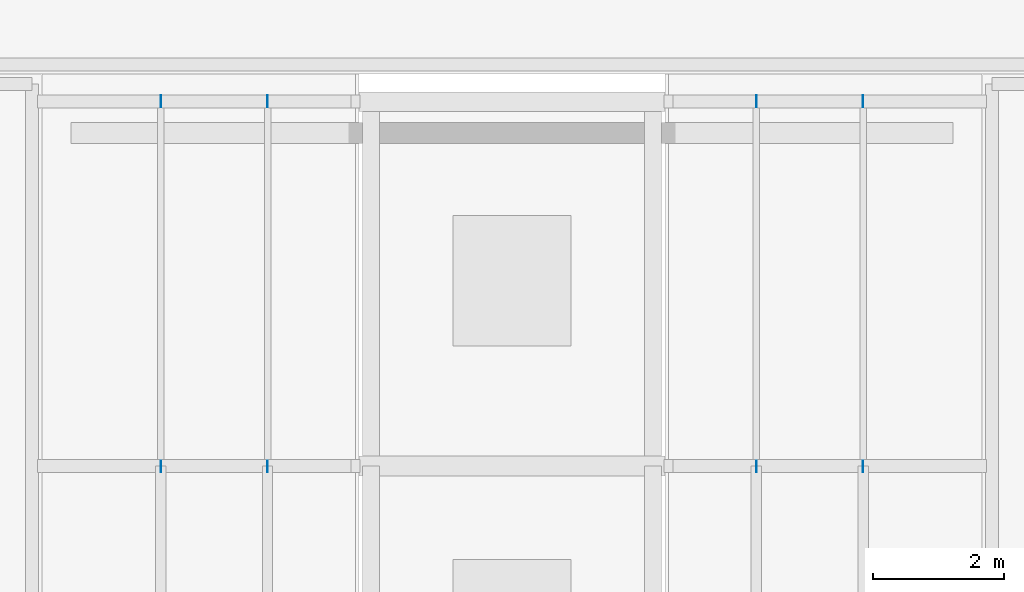
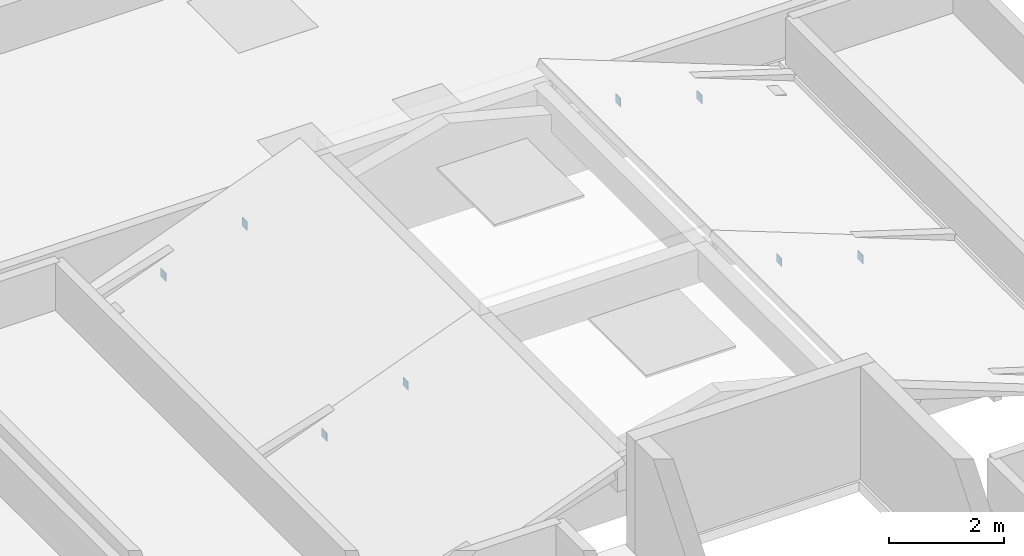
# One storey, part 3 of 5: 8 plates.
"""IFC4 building model written with IfcOpenShell, lengths in metres."""

from ifc_helpers import new_model, si_unit, direction, frame, origin, place, context, subcontext, project, spatial, polyline, outline, extrude, material, layer, layer_set, type_object, element, save


model = new_model("IFC4")

# Units and contexts
model_context = context("Model", 3, precision=1e-05, world=origin(), true_north=direction((0.0, 1.0)))
body_context = subcontext(model_context, "Body", "Model", "MODEL_VIEW")
ifc_project = project(units=[si_unit("LENGTHUNIT", "METRE"), si_unit("AREAUNIT", "SQUARE_METRE"), si_unit("VOLUMEUNIT", "CUBIC_METRE"), si_unit("PLANEANGLEUNIT", "RADIAN"), si_unit("MASSUNIT", "GRAM", prefix="KILO")], contexts=[model_context])

# Site, building, storey
site_placement = place(None, origin())
site = spatial("IfcSite", under=ifc_project, at=site_placement, CompositionType="ELEMENT")
building_placement = place(site_placement, origin())
building = spatial("IfcBuilding", under=site, at=building_placement, Name="Alvorim Cloister Faculty of Sciences", CompositionType="ELEMENT")
storey_placement = place(building_placement, frame((0.0, 0.0, 33.300048828125)))
storey = spatial("IfcBuildingStorey", under=building, at=storey_placement, Name="RF", CompositionType="ELEMENT", Elevation=33.300048828125)

# Plates
ifc_material = material(Name="Steel ASTM A572 Grade 50", Category="steel")
ifc_layer = layer(ifc_material, 0.011962890625)
ifc_layer_set = layer_set([ifc_layer], Name="Steel ASTM A572 Grade 50")
plate_type = type_object("IfcPlateType", Name="PL-CAP-12", PredefinedType="SHEET", material=ifc_layer_set)
for number, where, z_axis, x_axis, name in (
    (1, (12.6240234375, 43.10400390625, 0.139892578125), (0.0, 0.0, 1.0), (0.0, 1.0, 0.0), "Hollow Steel End Plate ND-05"),
    (2, (12.6240234375, 48.696044921875, 0.139892578125), (0.0, 0.0, 1.0), (0.0, 1.0, 0.0), "Hollow Steel End Plate ND-05"),
    (3, (23.3759765625, 43.10400390625, 0.139892578125), (0.0, 0.0, 1.0), (0.0, 1.0, 0.0), "Hollow Steel End Plate ND-05"),
    (4, (23.3759765625, 48.696044921875, 0.139892578125), (0.0, 0.0, 1.0), (0.0, 1.0, 0.0), "Hollow Steel End Plate ND-05"),
):
    element("IfcPlate", number, at=place(storey_placement, frame(where, z_axis=z_axis, x_axis=x_axis)), inside=storey, type_object=plate_type, Name=name, PredefinedType="SHEET", context=body_context, shape_type="SweptSolid", body=[
        extrude(outline(polyline([(0.0, 0.0), (0.179931640625, 0.0), (0.179931640625, 0.179931640625), (0.0, 0.179931640625), (0.0, 0.0)])), frame((0.0, 0.005859375, 0.0), z_axis=(0.0, -1.0, 0.0), x_axis=(1.0, 0.0, 0.0)), (0.0, 0.0, 1.0), 0.011962890625),
    ])
for number, where, z_axis, x_axis, name in (
    (5, (14.256103515625, 43.10400390625, 0.649658203125), (0.0, 0.0, 1.0), (0.0, 1.0, 0.0), "Hollow Steel End Plate ND-05"),
    (6, (14.256103515625, 48.696044921875, 0.649658203125), (0.0, 0.0, 1.0), (0.0, 1.0, 0.0), "Hollow Steel End Plate ND-05"),
    (7, (21.743896484375, 43.10400390625, 0.649658203125), (0.0, 0.0, 1.0), (0.0, 1.0, 0.0), "Hollow Steel End Plate ND-05"),
    (8, (21.743896484375, 48.696044921875, 0.649658203125), (0.0, 0.0, 1.0), (0.0, 1.0, 0.0), "Hollow Steel End Plate ND-05"),
):
    element("IfcPlate", number, at=place(storey_placement, frame(where, z_axis=z_axis, x_axis=x_axis)), inside=storey, type_object=plate_type, Name=name, PredefinedType="SHEET", context=body_context, shape_type="SweptSolid", body=[
        extrude(outline(polyline([(0.0, 0.0), (0.179931640625, 0.0), (0.179931640625, 0.18017578125), (0.0, 0.18017578125), (0.0, 0.0)])), frame((0.0, 0.005859375, 0.0), z_axis=(0.0, -1.0, 0.0), x_axis=(1.0, 0.0, 0.0)), (0.0, 0.0, 1.0), 0.011962890625),
    ])

save(model, "model.ifc")
